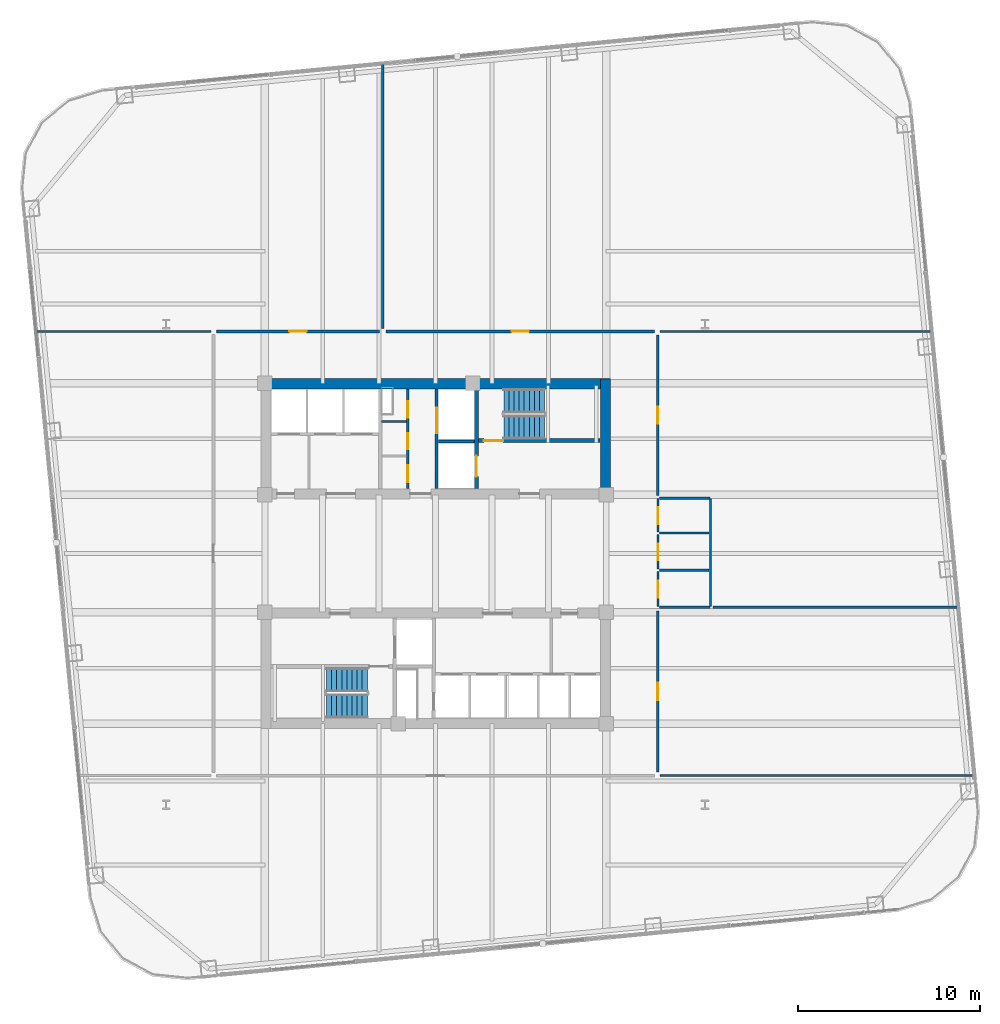
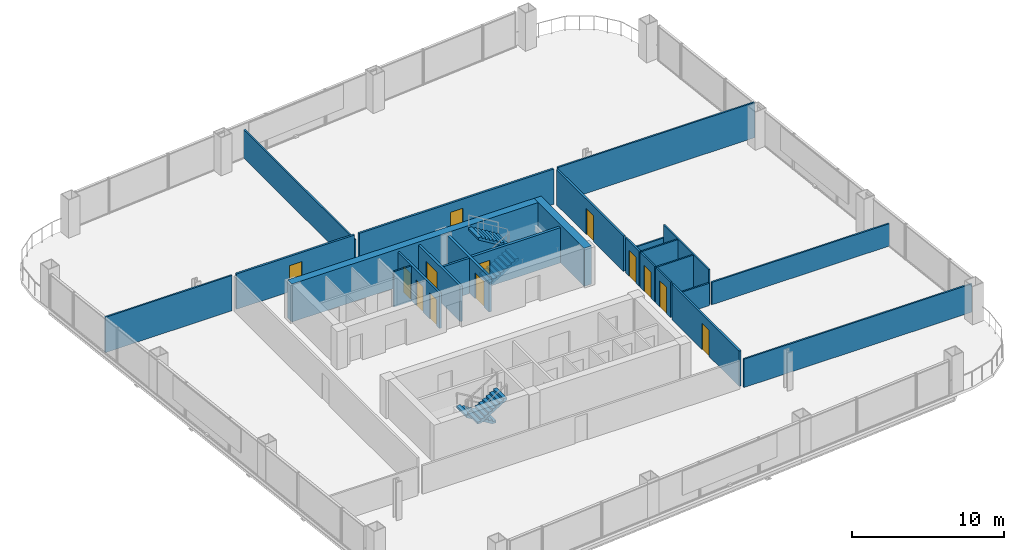
# One storey, part 23 of 27: 25 walls, 13 doors, 4 stair flights, 13 openings, 2 elements without a shape of their own.
"""IFC4 building model written with IfcOpenShell, lengths in metres."""

from ifc_helpers import new_model, si_unit, direction, frame, frame_2d, origin, place, context, subcontext, project, spatial, polyline, rectangle, outline, extrude, material, layer, layer_set, type_object, element, fill, aggregate, save


model = new_model("IFC4")

# Units and contexts
model_context = context("Model", 3, precision=1e-05, world=origin(), true_north=direction((0.0, 1.0)))
body_context = subcontext(model_context, "Body", "Model", "MODEL_VIEW")
ifc_project = project(units=[si_unit("LENGTHUNIT", "METRE"), si_unit("AREAUNIT", "SQUARE_METRE"), si_unit("VOLUMEUNIT", "CUBIC_METRE"), si_unit("PLANEANGLEUNIT", "RADIAN"), si_unit("MASSUNIT", "GRAM", prefix="KILO")], contexts=[model_context])

# Site, building, storey
site_placement = place(None, origin())
site = spatial("IfcSite", under=ifc_project, at=site_placement, CompositionType="ELEMENT")
building_placement = place(site_placement, origin())
building = spatial("IfcBuilding", under=site, at=building_placement, Name="Qhalaya Broadcast Tower", CompositionType="ELEMENT")
storey_placement = place(building_placement, frame((0.0, 0.0, 75.550048828125)))
storey = spatial("IfcBuildingStorey", under=building, at=storey_placement, Name="L21", CompositionType="ELEMENT", Elevation=75.550048828125)

# Wall, openings, doors
ifc_material_1 = material(Name="Gypsum Acoustic Partition")
ifc_layer_1 = layer(ifc_material_1, 0.14990234375, Name="Gypsum Acoustic Partition")
ifc_layer_set_1 = layer_set([ifc_layer_1], Name="Gypsum Acoustic Partition")
wall_type_1 = type_object("IfcWallType", Name="Corridor & Tenancy Acoustic Partition 150", PredefinedType="PARTITIONING", material=ifc_layer_set_1)
wall_1_placement = place(storey_placement, frame((-1.52001953125, 4.169921875, 0.0), z_axis=(0.0, 0.0, 1.0), x_axis=(0.0, 1.0, 0.0)))
wall_1 = element("IfcWall", 1, at=wall_1_placement, inside=storey, type_object=wall_type_1, Name="L21 Partition Wall NCW-SVL", PredefinedType="PARTITIONING", context=body_context, shape_type="SweptSolid", body=[
    extrude(rectangle(XDim=5.4599609375, YDim=0.14990234375, at=frame_2d((2.72998046875, 0.0))), origin(), (0.0, 0.0, 1.0), 2.829833984375),
])
opening_1_placement = place(wall_1_placement, frame((3.89990234375, 0.0, 0.0)))
opening_1 = element("IfcOpeningElement", 2, at=opening_1_placement, cuts=wall_1, Name="Opening D06", PredefinedType="OPENING", context=body_context, shape_type="SweptSolid", body=[
    extrude(rectangle(XDim=0.89990234375, YDim=2.050048828125, at=frame_2d((0.449951171875, 1.02490234375))), frame((0.0, 0.0869140625, 0.0), z_axis=(0.0, -1.0, 0.0), x_axis=(1.0, 0.0, 0.0)), (0.0, 0.0, 1.0), 0.173828125),
])
opening_2_placement = place(wall_1_placement, frame((2.14990234375, 0.0, 0.0)))
opening_2 = element("IfcOpeningElement", 3, at=opening_2_placement, cuts=wall_1, Name="Opening D06", PredefinedType="OPENING", context=body_context, shape_type="SweptSolid", body=[
    extrude(rectangle(XDim=0.89990234375, YDim=2.050048828125, at=frame_2d((0.449951171875, 1.02490234375))), frame((0.0, 0.0869140625, 0.0), z_axis=(0.0, -1.0, 0.0), x_axis=(1.0, 0.0, 0.0)), (0.0, 0.0, 1.0), 0.173828125),
])
opening_3_placement = place(wall_1_placement, frame((0.35009765625, 0.0, 0.0)))
opening_3 = element("IfcOpeningElement", 4, at=opening_3_placement, cuts=wall_1, Name="Opening D12", PredefinedType="OPENING", context=body_context, shape_type="SweptSolid", body=[
    extrude(rectangle(XDim=0.919921875, YDim=2.10009765625, at=frame_2d((0.4599609375, 1.050048828125))), frame((0.0, 0.0869140625, 0.0), z_axis=(0.0, -1.0, 0.0), x_axis=(1.0, 0.0, 0.0)), (0.0, 0.0, 1.0), 0.173828125),
])
ifc_material_2 = material(Name="Timber Veneer Acoustic Door", Category="wood")
door_type_1 = type_object("IfcDoorType", Name="Accessible WC & Restroom Door D12", OperationType="NOTDEFINED", PredefinedType="DOOR", material=ifc_material_2)
door_1_placement = place(opening_3_placement, origin())
door_1 = element("IfcDoor", 5, at=door_1_placement, inside=storey, type_object=door_type_1, Name="L21 Door D-NCWC", OperationType="SINGLE_SWING_RIGHT", OverallHeight=2.10009765625, OverallWidth=0.919921875, PredefinedType="DOOR", context=body_context, shape_type="SweptSolid", body=[
    extrude(rectangle(XDim=0.919921875, YDim=2.10009765625, at=frame_2d((0.4599609375, 1.050048828125))), frame((0.0, 0.02490234375, 0.0), z_axis=(0.0, -1.0, 0.0), x_axis=(1.0, 0.0, 0.0)), (0.0, 0.0, 1.0), 0.050048828125),
])
fill(opening_3, door_1)
ifc_material_3 = material(Name="Fire-Rated Steel Door", Category="steel")
door_type_2 = type_object("IfcDoorType", Name="Riser & Electrical Shaft Access Door D06", OperationType="NOTDEFINED", PredefinedType="DOOR", material=ifc_material_3)
door_2_placement = place(opening_1_placement, origin())
door_2 = element("IfcDoor", 6, at=door_2_placement, inside=storey, type_object=door_type_2, Name="L21 Riser Shaft Access Door D-NRSR", OperationType="SINGLE_SWING_RIGHT", OverallHeight=2.050048828125, OverallWidth=0.89990234375, PredefinedType="DOOR", context=body_context, shape_type="SweptSolid", body=[
    extrude(rectangle(XDim=0.89990234375, YDim=2.050048828125, at=frame_2d((0.449951171875, 1.02490234375))), frame((0.0, 0.02490234375, 0.0), z_axis=(0.0, -1.0, 0.0), x_axis=(1.0, 0.0, 0.0)), (0.0, 0.0, 1.0), 0.050048828125),
])
fill(opening_1, door_2)
door_3_placement = place(opening_2_placement, origin())
door_3 = element("IfcDoor", 7, at=door_3_placement, inside=storey, type_object=door_type_2, Name="L21 Door D-NITR", OperationType="SINGLE_SWING_LEFT", OverallHeight=2.050048828125, OverallWidth=0.89990234375, PredefinedType="DOOR", context=body_context, shape_type="SweptSolid", body=[
    extrude(rectangle(XDim=0.89990234375, YDim=2.050048828125, at=frame_2d((0.449951171875, 1.02490234375))), frame((0.0, 0.02490234375, 0.0), z_axis=(0.0, -1.0, 0.0), x_axis=(1.0, 0.0, 0.0)), (0.0, 0.0, 1.0), 0.050048828125),
])
fill(opening_2, door_3)

# Wall, opening, door
wall_2_placement = place(storey_placement, frame((-12.02001953125, 12.800048828125, 0.0), z_axis=(0.0, 0.0, 1.0), x_axis=(1.0, 0.0, 0.0)))
wall_2 = element("IfcWall", 8, at=wall_2_placement, inside=storey, type_object=wall_type_1, Name="L21 Partition Wall W-COR-01", PredefinedType="PARTITIONING", context=body_context, shape_type="SweptSolid", body=[
    extrude(rectangle(XDim=8.93994140625, YDim=0.14990234375, at=frame_2d((4.469970703125, 0.0))), origin(), (0.0, 0.0, 1.0), 2.829833984375),
])
opening_4_placement = place(wall_2_placement, frame((3.9951171875, 0.0, 0.0)))
opening_4 = element("IfcOpeningElement", 9, at=opening_4_placement, cuts=wall_2, Name="Opening D10", PredefinedType="OPENING", context=body_context, shape_type="SweptSolid", body=[
    extrude(rectangle(XDim=0.949951171875, YDim=2.10009765625, at=frame_2d((0.47509765625, 1.050048828125))), frame((0.0, 0.0869140625, 0.0), z_axis=(0.0, -1.0, 0.0), x_axis=(1.0, 0.0, 0.0)), (0.0, 0.0, 1.0), 0.173828125),
])
door_type_3 = type_object("IfcDoorType", Name="Cellular Office & Edit Booth Door D10", OperationType="NOTDEFINED", PredefinedType="DOOR", material=ifc_material_2)
door_4_placement = place(opening_4_placement, origin())
door_4 = element("IfcDoor", 10, at=door_4_placement, inside=storey, type_object=door_type_3, Name="L21 Door D-RM01", OperationType="SINGLE_SWING_LEFT", OverallHeight=2.10009765625, OverallWidth=0.949951171875, PredefinedType="DOOR", context=body_context, shape_type="SweptSolid", body=[
    extrude(rectangle(XDim=0.949951171875, YDim=2.10009765625, at=frame_2d((0.47509765625, 1.050048828125))), frame((0.0, 0.02490234375, 0.0), z_axis=(0.0, -1.0, 0.0), x_axis=(1.0, 0.0, 0.0)), (0.0, 0.0, 1.0), 0.050048828125),
])
fill(opening_4, door_4)

wall_3_placement = place(storey_placement, frame((-2.719970703125, 12.800048828125, 0.0), z_axis=(0.0, 0.0, 1.0), x_axis=(1.0, 0.0, 0.0)))
wall_3 = element("IfcWall", 11, at=wall_3_placement, inside=storey, type_object=wall_type_1, Name="L21 Partition Wall W-COR-02", PredefinedType="PARTITIONING", context=body_context, shape_type="SweptSolid", body=[
    extrude(rectangle(XDim=14.739990234375, YDim=0.14990234375, at=frame_2d((7.3701171875, 0.0))), origin(), (0.0, 0.0, 1.0), 2.829833984375),
])
opening_5_placement = place(wall_3_placement, frame((6.89501953125, 0.0, 0.0)))
opening_5 = element("IfcOpeningElement", 12, at=opening_5_placement, cuts=wall_3, Name="Opening D10", PredefinedType="OPENING", context=body_context, shape_type="SweptSolid", body=[
    extrude(rectangle(XDim=0.949951171875, YDim=2.10009765625, at=frame_2d((0.47509765625, 1.050048828125))), frame((0.0, 0.0869140625, 0.0), z_axis=(0.0, -1.0, 0.0), x_axis=(1.0, 0.0, 0.0)), (0.0, 0.0, 1.0), 0.173828125),
])
door_5_placement = place(opening_5_placement, origin())
door_5 = element("IfcDoor", 13, at=door_5_placement, inside=storey, type_object=door_type_3, Name="L21 Door D-RM02", OperationType="SINGLE_SWING_RIGHT", OverallHeight=2.10009765625, OverallWidth=0.949951171875, PredefinedType="DOOR", context=body_context, shape_type="SweptSolid", body=[
    extrude(rectangle(XDim=0.949951171875, YDim=2.10009765625, at=frame_2d((0.47509765625, 1.050048828125))), frame((0.0, 0.02490234375, 0.0), z_axis=(0.0, -1.0, 0.0), x_axis=(1.0, 0.0, 0.0)), (0.0, 0.0, 1.0), 0.050048828125),
])
fill(opening_5, door_5)

wall_4_placement = place(storey_placement, frame((12.199951171875, -11.39990234375, 0.0), z_axis=(0.0, 0.0, 1.0), x_axis=(0.0, 1.0, 0.0)))
wall_4 = element("IfcWall", 14, at=wall_4_placement, inside=storey, type_object=wall_type_1, Name="L21 Partition Wall W-COR-05", PredefinedType="PARTITIONING", context=body_context, shape_type="SweptSolid", body=[
    extrude(rectangle(XDim=8.83984375, YDim=0.14990234375, at=frame_2d((4.419921875, 0.0))), origin(), (0.0, 0.0, 1.0), 2.829833984375),
])
opening_6_placement = place(wall_4_placement, frame((3.945068359375, 0.0, 0.0)))
opening_6 = element("IfcOpeningElement", 15, at=opening_6_placement, cuts=wall_4, Name="Opening D10", PredefinedType="OPENING", context=body_context, shape_type="SweptSolid", body=[
    extrude(rectangle(XDim=0.949951171875, YDim=2.10009765625, at=frame_2d((0.47509765625, 1.050048828125))), frame((0.0, 0.0869140625, 0.0), z_axis=(0.0, -1.0, 0.0), x_axis=(1.0, 0.0, 0.0)), (0.0, 0.0, 1.0), 0.173828125),
])
door_6_placement = place(opening_6_placement, origin())
door_6 = element("IfcDoor", 16, at=door_6_placement, inside=storey, type_object=door_type_3, Name="L21 Door D-RM05", OperationType="SINGLE_SWING_LEFT", OverallHeight=2.10009765625, OverallWidth=0.949951171875, PredefinedType="DOOR", context=body_context, shape_type="SweptSolid", body=[
    extrude(rectangle(XDim=0.949951171875, YDim=2.10009765625, at=frame_2d((0.47509765625, 1.050048828125))), frame((0.0, 0.02490234375, 0.0), z_axis=(0.0, -1.0, 0.0), x_axis=(1.0, 0.0, 0.0)), (0.0, 0.0, 1.0), 0.050048828125),
])
fill(opening_6, door_6)

wall_5_placement = place(storey_placement, frame((12.199951171875, 3.800048828125, 0.0), z_axis=(0.0, 0.0, 1.0), x_axis=(0.0, 1.0, 0.0)))
wall_5 = element("IfcWall", 17, at=wall_5_placement, inside=storey, type_object=wall_type_1, Name="L21 Partition Wall W-COR-06", PredefinedType="PARTITIONING", context=body_context, shape_type="SweptSolid", body=[
    extrude(rectangle(XDim=8.800048828125, YDim=0.14990234375, at=frame_2d((4.39990234375, 0.0))), origin(), (0.0, 0.0, 1.0), 2.829833984375),
])
opening_7_placement = place(wall_5_placement, frame((3.925048828125, 0.0, 0.0)))
opening_7 = element("IfcOpeningElement", 18, at=opening_7_placement, cuts=wall_5, Name="Opening D10", PredefinedType="OPENING", context=body_context, shape_type="SweptSolid", body=[
    extrude(rectangle(XDim=0.949951171875, YDim=2.10009765625, at=frame_2d((0.47509765625, 1.050048828125))), frame((0.0, 0.0869140625, 0.0), z_axis=(0.0, -1.0, 0.0), x_axis=(1.0, 0.0, 0.0)), (0.0, 0.0, 1.0), 0.173828125),
])
door_7_placement = place(opening_7_placement, origin())
door_7 = element("IfcDoor", 19, at=door_7_placement, inside=storey, type_object=door_type_3, Name="L21 Door D-RM06", OperationType="SINGLE_SWING_RIGHT", OverallHeight=2.10009765625, OverallWidth=0.949951171875, PredefinedType="DOOR", context=body_context, shape_type="SweptSolid", body=[
    extrude(rectangle(XDim=0.949951171875, YDim=2.10009765625, at=frame_2d((0.47509765625, 1.050048828125))), frame((0.0, 0.02490234375, 0.0), z_axis=(0.0, -1.0, 0.0), x_axis=(1.0, 0.0, 0.0)), (0.0, 0.0, 1.0), 0.050048828125),
])
fill(opening_7, door_7)

ifc_material_4 = material(Name="Concrete C50/60", Category="concrete")
ifc_layer_2 = layer(ifc_material_4, 0.199951171875, Name="Concrete C50/60")
ifc_layer_set_2 = layer_set([ifc_layer_2], Name="Concrete C50/60")
wall_type_2 = type_object("IfcWallType", Name="Load-Bearing Stair Shaft Wall 200", PredefinedType="SHEAR", material=ifc_layer_set_2)
wall_6_placement = place(storey_placement, frame((2.360107421875, 6.804931640625, 0.0), z_axis=(0.0, 0.0, 1.0), x_axis=(1.0, 0.0, 0.0)))
wall_6 = element("IfcWall", 20, at=wall_6_placement, inside=storey, type_object=wall_type_2, Name="L21 Stair Core Shear Wall NCW-ST1", PredefinedType="SHEAR", context=body_context, shape_type="SweptSolid", body=[
    extrude(rectangle(XDim=6.669921875, YDim=0.199951171875, at=frame_2d((3.3349609375, 0.0))), origin(), (0.0, 0.0, 1.0), 2.829833984375),
])
opening_8_placement = place(wall_6_placement, frame((0.300048828125, 0.0, 0.0)))
opening_8 = element("IfcOpeningElement", 21, at=opening_8_placement, cuts=wall_6, Name="Opening D03", PredefinedType="OPENING", context=body_context, shape_type="SweptSolid", body=[
    extrude(rectangle(XDim=1.050048828125, YDim=2.080078125, at=frame_2d((0.52490234375, 1.0400390625))), frame((0.0, 0.112060546875, 0.0), z_axis=(0.0, -1.0, 0.0), x_axis=(1.0, 0.0, 0.0)), (0.0, 0.0, 1.0), 0.223876953125),
])
door_type_4 = type_object("IfcDoorType", Name="Core Stair Protected Fire Door D03", OperationType="NOTDEFINED", PredefinedType="DOOR", material=ifc_material_3)
door_8_placement = place(opening_8_placement, origin())
door_8 = element("IfcDoor", 22, at=door_8_placement, inside=storey, type_object=door_type_4, Name="L21 Door D-NST1", OperationType="SINGLE_SWING_LEFT", OverallHeight=2.080078125, OverallWidth=1.050048828125, PredefinedType="DOOR", context=body_context, shape_type="SweptSolid", body=[
    extrude(rectangle(XDim=1.050048828125, YDim=2.080078125, at=frame_2d((0.52490234375, 1.0400390625))), frame((0.0, 0.02490234375, 0.0), z_axis=(0.0, -1.0, 0.0), x_axis=(1.0, 0.0, 0.0)), (0.0, 0.0, 1.0), 0.050048828125),
])
fill(opening_8, door_8)

wall_7_placement = place(storey_placement, frame((2.25, 4.169921875, 0.0), z_axis=(0.0, 0.0, 1.0), x_axis=(0.0, 1.0, 0.0)))
wall_7 = element("IfcWall", 23, at=wall_7_placement, inside=storey, type_object=wall_type_2, Name="L21 Stair Core Shear Wall NCW-FF", PredefinedType="SHEAR", context=body_context, shape_type="SweptSolid", body=[
    extrude(rectangle(XDim=5.4599609375, YDim=0.199951171875, at=frame_2d((2.72998046875, 0.0))), origin(), (0.0, 0.0, 1.0), 2.829833984375),
])
opening_9_placement = place(wall_7_placement, frame((0.64990234375, 0.0, 0.0)))
opening_9 = element("IfcOpeningElement", 24, at=opening_9_placement, cuts=wall_7, Name="Opening LD2", PredefinedType="OPENING", context=body_context, shape_type="SweptSolid", body=[
    extrude(rectangle(XDim=1.14990234375, YDim=2.080078125, at=frame_2d((0.574951171875, 1.0400390625))), frame((0.0, 0.112060546875, 0.0), z_axis=(0.0, -1.0, 0.0), x_axis=(1.0, 0.0, 0.0)), (0.0, 0.0, 1.0), 0.223876953125),
])
ifc_material_5 = material(Name="Brushed Stainless Steel Lift Door", Category="steel")
door_type_5 = type_object("IfcDoorType", Name="Firefighting Lift Sliding Landing Door LD2", OperationType="DOUBLE_DOOR_SLIDING", PredefinedType="DOOR", material=ifc_material_5)
door_9_placement = place(opening_9_placement, origin())
door_9 = element("IfcDoor", 25, at=door_9_placement, inside=storey, type_object=door_type_5, Name="L21 Door LD-FF1", OperationType="DOUBLE_DOOR_SLIDING", OverallHeight=2.080078125, OverallWidth=1.14990234375, PredefinedType="DOOR", context=body_context, shape_type="SweptSolid", body=[
    extrude(rectangle(XDim=1.14990234375, YDim=2.080078125, at=frame_2d((0.574951171875, 1.0400390625))), frame((0.0, 0.02490234375, 0.0), z_axis=(0.0, -1.0, 0.0), x_axis=(1.0, 0.0, 0.0)), (0.0, 0.0, 1.0), 0.050048828125),
])
fill(opening_9, door_9)

# Walls
ifc_material_6 = material(Name="Concrete C60/75", Category="concrete")
ifc_layer_3 = layer(ifc_material_6, 0.550048828125, Name="Concrete C60/75")
ifc_layer_set_3 = layer_set([ifc_layer_3], Name="Concrete C60/75")
wall_type_3 = type_object("IfcWallType", Name="Lower Split-Core Shear Wall 550", PredefinedType="SHEAR", material=ifc_layer_set_3)
wall_8_placement = place(storey_placement, frame((-9.60009765625, 9.925048828125, 0.0), z_axis=(0.0, 0.0, 1.0), x_axis=(1.0, 0.0, 0.0)))
element("IfcWall", 26, at=wall_8_placement, inside=storey, type_object=wall_type_3, Name="L21 Split-Core Shear Wall CW-NN", PredefinedType="SHEAR", context=body_context, shape_type="SweptSolid", body=[
    extrude(rectangle(XDim=19.2001953125, YDim=0.550048828125, at=frame_2d((9.60009765625, 0.0))), origin(), (0.0, 0.0, 1.0), 3.050048828125),
])
wall_9_placement = place(storey_placement, frame((9.324951171875, 3.60009765625, 0.0), z_axis=(0.0, 0.0, 1.0), x_axis=(0.0, 1.0, 0.0)))
element("IfcWall", 27, at=wall_9_placement, inside=storey, type_object=wall_type_3, Name="L21 Split-Core Shear Wall CW-NE", PredefinedType="SHEAR", context=body_context, shape_type="SweptSolid", body=[
    extrude(rectangle(XDim=6.599853515625, YDim=0.550048828125, at=frame_2d((3.2998046875, 0.0))), origin(), (0.0, 0.0, 1.0), 3.050048828125),
])
ifc_layer_4 = layer(ifc_material_1, 0.1201171875, Name="Gypsum Acoustic Partition")
ifc_layer_set_4 = layer_set([ifc_layer_4], Name="Gypsum Acoustic Partition")
wall_type_4 = type_object("IfcWallType", Name="Office, Booth & Sanitary Partition 120", PredefinedType="PARTITIONING", material=ifc_layer_set_4)
wall_10_placement = place(storey_placement, frame((-2.9599609375, 7.85009765625, 0.0), z_axis=(0.0, 0.0, 1.0), x_axis=(1.0, 0.0, 0.0)))
element("IfcWall", 28, at=wall_10_placement, inside=storey, type_object=wall_type_4, Name="L21 Partition Wall NCW-VB2", PredefinedType="PARTITIONING", context=body_context, shape_type="SweptSolid", body=[
    extrude(rectangle(XDim=1.35986328125, YDim=0.1201171875, at=frame_2d((0.679931640625, 0.0))), origin(), (0.0, 0.0, 1.0), 2.829833984375),
])

# Wall, opening, door
wall_11_placement = place(storey_placement, frame((12.219970703125, -2.320068359375, 0.0), z_axis=(0.0, 0.0, 1.0), x_axis=(0.0, 1.0, 0.0)))
wall_11 = element("IfcWall", 29, at=wall_11_placement, inside=storey, type_object=wall_type_4, Name="L21 Partition Wall W-WCWA", PredefinedType="PARTITIONING", context=body_context, shape_type="SweptSolid", body=[
    extrude(rectangle(XDim=1.940185546875, YDim=0.1201171875, at=frame_2d((0.97021484375, 0.0))), origin(), (0.0, 0.0, 1.0), 2.829833984375),
])
opening_10_placement = place(wall_11_placement, frame((0.4951171875, 0.0, 0.0)))
opening_10 = element("IfcOpeningElement", 30, at=opening_10_placement, cuts=wall_11, Name="Opening D12", PredefinedType="OPENING", context=body_context, shape_type="SweptSolid", body=[
    extrude(rectangle(XDim=0.919921875, YDim=2.10009765625, at=frame_2d((0.4599609375, 1.050048828125))), frame((0.0, 0.072021484375, 0.0), z_axis=(0.0, -1.0, 0.0), x_axis=(1.0, 0.0, 0.0)), (0.0, 0.0, 1.0), 0.14404296875),
])
door_10_placement = place(opening_10_placement, origin())
door_10 = element("IfcDoor", 31, at=door_10_placement, inside=storey, type_object=door_type_1, Name="L21 Door D-WCA", OperationType="SINGLE_SWING_LEFT", OverallHeight=2.10009765625, OverallWidth=0.919921875, PredefinedType="DOOR", context=body_context, shape_type="SweptSolid", body=[
    extrude(rectangle(XDim=0.919921875, YDim=2.10009765625, at=frame_2d((0.4599609375, 1.050048828125))), frame((0.0, 0.02490234375, 0.0), z_axis=(0.0, -1.0, 0.0), x_axis=(1.0, 0.0, 0.0)), (0.0, 0.0, 1.0), 0.050048828125),
])
fill(opening_10, door_10)

wall_12_placement = place(storey_placement, frame((12.219970703125, -0.25, 0.0), z_axis=(0.0, 0.0, 1.0), x_axis=(0.0, 1.0, 0.0)))
wall_12 = element("IfcWall", 32, at=wall_12_placement, inside=storey, type_object=wall_type_4, Name="L21 Partition Wall W-WCWM", PredefinedType="PARTITIONING", context=body_context, shape_type="SweptSolid", body=[
    extrude(rectangle(XDim=1.89990234375, YDim=0.1201171875, at=frame_2d((0.949951171875, 0.0))), origin(), (0.0, 0.0, 1.0), 2.829833984375),
])
opening_11_placement = place(wall_12_placement, frame((0.47509765625, 0.0, 0.0)))
opening_11 = element("IfcOpeningElement", 33, at=opening_11_placement, cuts=wall_12, Name="Opening D12", PredefinedType="OPENING", context=body_context, shape_type="SweptSolid", body=[
    extrude(rectangle(XDim=0.919921875, YDim=2.10009765625, at=frame_2d((0.4599609375, 1.050048828125))), frame((0.0, 0.072021484375, 0.0), z_axis=(0.0, -1.0, 0.0), x_axis=(1.0, 0.0, 0.0)), (0.0, 0.0, 1.0), 0.14404296875),
])
door_11_placement = place(opening_11_placement, origin())
door_11 = element("IfcDoor", 34, at=door_11_placement, inside=storey, type_object=door_type_1, Name="L21 Door D-WCM", OperationType="SINGLE_SWING_RIGHT", OverallHeight=2.10009765625, OverallWidth=0.919921875, PredefinedType="DOOR", context=body_context, shape_type="SweptSolid", body=[
    extrude(rectangle(XDim=0.919921875, YDim=2.10009765625, at=frame_2d((0.4599609375, 1.050048828125))), frame((0.0, 0.02490234375, 0.0), z_axis=(0.0, -1.0, 0.0), x_axis=(1.0, 0.0, 0.0)), (0.0, 0.0, 1.0), 0.050048828125),
])
fill(opening_11, door_11)

wall_13_placement = place(storey_placement, frame((12.219970703125, 1.780029296875, 0.0), z_axis=(0.0, 0.0, 1.0), x_axis=(0.0, 1.0, 0.0)))
wall_13 = element("IfcWall", 35, at=wall_13_placement, inside=storey, type_object=wall_type_4, Name="L21 Partition Wall W-WCWF", PredefinedType="PARTITIONING", context=body_context, shape_type="SweptSolid", body=[
    extrude(rectangle(XDim=1.830078125, YDim=0.1201171875, at=frame_2d((0.9150390625, 0.0))), origin(), (0.0, 0.0, 1.0), 2.829833984375),
])
opening_12_placement = place(wall_13_placement, frame((0.43994140625, 0.0, 0.0)))
opening_12 = element("IfcOpeningElement", 36, at=opening_12_placement, cuts=wall_13, Name="Opening D12", PredefinedType="OPENING", context=body_context, shape_type="SweptSolid", body=[
    extrude(rectangle(XDim=0.919921875, YDim=2.10009765625, at=frame_2d((0.4599609375, 1.050048828125))), frame((0.0, 0.072021484375, 0.0), z_axis=(0.0, -1.0, 0.0), x_axis=(1.0, 0.0, 0.0)), (0.0, 0.0, 1.0), 0.14404296875),
])
door_12_placement = place(opening_12_placement, origin())
door_12 = element("IfcDoor", 37, at=door_12_placement, inside=storey, type_object=door_type_1, Name="L21 Door D-WCF", OperationType="SINGLE_SWING_LEFT", OverallHeight=2.10009765625, OverallWidth=0.919921875, PredefinedType="DOOR", context=body_context, shape_type="SweptSolid", body=[
    extrude(rectangle(XDim=0.919921875, YDim=2.10009765625, at=frame_2d((0.4599609375, 1.050048828125))), frame((0.0, 0.02490234375, 0.0), z_axis=(0.0, -1.0, 0.0), x_axis=(1.0, 0.0, 0.0)), (0.0, 0.0, 1.0), 0.050048828125),
])
fill(opening_12, door_12)

# Walls
wall_14_placement = place(storey_placement, frame((15.10009765625, -2.320068359375, 0.0), z_axis=(0.0, 0.0, 1.0), x_axis=(0.0, 1.0, 0.0)))
element("IfcWall", 38, at=wall_14_placement, inside=storey, type_object=wall_type_4, Name="L21 Partition Wall W-WCE", PredefinedType="PARTITIONING", context=body_context, shape_type="SweptSolid", body=[
    extrude(rectangle(XDim=5.93017578125, YDim=0.1201171875, at=frame_2d((2.965087890625, 0.0))), origin(), (0.0, 0.0, 1.0), 2.829833984375),
])
for number, where, z_axis, x_axis, name in (
    (39, (12.31005859375, -2.35009765625, 0.0), (0.0, 0.0, 1.0), (1.0, 0.0, 0.0), "L21 Partition Wall W-WCS"),
    (40, (12.31005859375, 3.639892578125, 0.0), (0.0, 0.0, 1.0), (1.0, 0.0, 0.0), "L21 Partition Wall W-WCN"),
):
    element("IfcWall", number, at=place(storey_placement, frame(where, z_axis=z_axis, x_axis=x_axis)), inside=storey, type_object=wall_type_4, Name=name, PredefinedType="PARTITIONING", context=body_context, shape_type="SweptSolid", body=[
        extrude(rectangle(XDim=2.760009765625, YDim=0.1201171875, at=frame_2d((1.3798828125, 0.0))), origin(), (0.0, 0.0, 1.0), 1.799072265625),
    ])
for number, where, z_axis, x_axis, name in (
    (41, (12.31005859375, -0.320068359375, 0.0), (0.0, 0.0, 1.0), (1.0, 0.0, 0.0), "L21 Partition Wall W-WCD1"),
    (42, (12.31005859375, 1.719970703125, 0.0), (0.0, 0.0, 1.0), (1.0, 0.0, 0.0), "L21 Partition Wall W-WCD2"),
):
    element("IfcWall", number, at=place(storey_placement, frame(where, z_axis=z_axis, x_axis=x_axis)), inside=storey, type_object=wall_type_4, Name=name, PredefinedType="PARTITIONING", context=body_context, shape_type="SweptSolid", body=[
        extrude(rectangle(XDim=2.719970703125, YDim=0.1201171875, at=frame_2d((1.35986328125, 0.0))), origin(), (0.0, 0.0, 1.0), 2.829833984375),
    ])
wall_15_placement = place(storey_placement, frame((-21.94482421875, 12.800048828125, 0.0), z_axis=(0.0, 0.0, 1.0), x_axis=(1.0, 0.0, 0.0)))
element("IfcWall", 43, at=wall_15_placement, inside=storey, type_object=wall_type_4, Name="L21 Partition Wall W-BNDW1", PredefinedType="PARTITIONING", context=body_context, shape_type="SweptSolid", body=[
    extrude(rectangle(XDim=9.604736328125, YDim=0.1201171875, at=frame_2d((4.80224609375, 0.0))), origin(), (0.0, 0.0, 1.0), 2.829833984375),
])
wall_16_placement = place(storey_placement, frame((12.340087890625, 12.800048828125, 0.0), z_axis=(0.0, 0.0, 1.0), x_axis=(1.0, 0.0, 0.0)))
element("IfcWall", 44, at=wall_16_placement, inside=storey, type_object=wall_type_4, Name="L21 Partition Wall W-BNDE1", PredefinedType="PARTITIONING", context=body_context, shape_type="SweptSolid", body=[
    extrude(rectangle(XDim=14.901611328125, YDim=0.1201171875, at=frame_2d((7.45068359375, 0.0))), origin(), (0.0, 0.0, 1.0), 2.829833984375),
])
wall_17_placement = place(storey_placement, frame((12.340087890625, -11.60009765625, 0.0), z_axis=(0.0, 0.0, 1.0), x_axis=(1.0, 0.0, 0.0)))
element("IfcWall", 45, at=wall_17_placement, inside=storey, type_object=wall_type_4, Name="L21 Partition Wall W-BNDE2", PredefinedType="PARTITIONING", context=body_context, shape_type="SweptSolid", body=[
    extrude(rectangle(XDim=17.2509765625, YDim=0.1201171875, at=frame_2d((8.62548828125, 0.0))), origin(), (0.0, 0.0, 1.0), 2.27392578125),
])
wall_18_placement = place(storey_placement, frame((-2.89990234375, 12.9599609375, 0.0), z_axis=(0.0, 0.0, 1.0), x_axis=(0.0, 1.0, 0.0)))
element("IfcWall", 46, at=wall_18_placement, inside=storey, type_object=wall_type_4, Name="L21 Partition Wall W-DIVN1", PredefinedType="PARTITIONING", context=body_context, shape_type="SweptSolid", body=[
    extrude(rectangle(XDim=14.55322265625, YDim=0.1201171875, at=frame_2d((7.276611328125, 0.0))), origin(), (0.0, 0.0, 1.0), 2.27392578125),
])
wall_19_placement = place(storey_placement, frame((15.239990234375, -2.35009765625, 0.0), z_axis=(0.0, 0.0, 1.0), x_axis=(1.0, 0.0, 0.0)))
element("IfcWall", 47, at=wall_19_placement, inside=storey, type_object=wall_type_4, Name="L21 Partition Wall W-DIVE-WC", PredefinedType="PARTITIONING", context=body_context, shape_type="SweptSolid", body=[
    extrude(rectangle(XDim=13.46044921875, YDim=0.1201171875, at=frame_2d((6.730224609375, 0.0))), origin(), (0.0, 0.0, 1.0), 1.799072265625),
])

# Wall, opening, door
ifc_layer_5 = layer(ifc_material_1, 0.175048828125, Name="Gypsum Acoustic Partition")
ifc_layer_set_5 = layer_set([ifc_layer_5], Name="Gypsum Acoustic Partition")
wall_type_5 = type_object("IfcWallType", Name="Shaft & Riser Fire Partition 175", PredefinedType="PARTITIONING", material=ifc_layer_set_5)
wall_20_placement = place(storey_placement, frame((0.06005859375, 4.169921875, 0.0), z_axis=(0.0, 0.0, 1.0), x_axis=(0.0, 1.0, 0.0)))
wall_20 = element("IfcWall", 48, at=wall_20_placement, inside=storey, type_object=wall_type_5, Name="L21 Partition Wall NCW-SVW", PredefinedType="PARTITIONING", context=body_context, shape_type="SweptSolid", body=[
    extrude(rectangle(XDim=5.4599609375, YDim=0.175048828125, at=frame_2d((2.72998046875, 0.0))), origin(), (0.0, 0.0, 1.0), 2.829833984375),
])
opening_13_placement = place(wall_20_placement, frame((3.050048828125, 0.0, 0.0)))
opening_13 = element("IfcOpeningElement", 49, at=opening_13_placement, cuts=wall_20, Name="Opening LD3", PredefinedType="OPENING", context=body_context, shape_type="SweptSolid", body=[
    extrude(rectangle(XDim=1.39990234375, YDim=2.1201171875, at=frame_2d((0.699951171875, 1.06005859375))), frame((0.0, 0.099609375, 0.0), z_axis=(0.0, -1.0, 0.0), x_axis=(1.0, 0.0, 0.0)), (0.0, 0.0, 1.0), 0.198974609375),
])
door_type_6 = type_object("IfcDoorType", Name="Service Lift Wide Sliding Landing Door LD3", OperationType="DOUBLE_DOOR_SLIDING", PredefinedType="DOOR", material=ifc_material_5)
door_13_placement = place(opening_13_placement, origin())
door_13 = element("IfcDoor", 50, at=door_13_placement, inside=storey, type_object=door_type_6, Name="L21 Door LD-SV1", OperationType="DOUBLE_DOOR_SLIDING", OverallHeight=2.1201171875, OverallWidth=1.39990234375, PredefinedType="DOOR", context=body_context, shape_type="SweptSolid", body=[
    extrude(rectangle(XDim=1.39990234375, YDim=2.1201171875, at=frame_2d((0.699951171875, 1.06005859375))), frame((0.0, 0.02490234375, 0.0), z_axis=(0.0, -1.0, 0.0), x_axis=(1.0, 0.0, 0.0)), (0.0, 0.0, 1.0), 0.050048828125),
])
fill(opening_13, door_13)

# Wall
wall_21_placement = place(storey_placement, frame((0.159912109375, 6.75, 0.0), z_axis=(0.0, 0.0, 1.0), x_axis=(1.0, 0.0, 0.0)))
element("IfcWall", 51, at=wall_21_placement, inside=storey, type_object=wall_type_5, Name="L21 Partition Wall NCW-SVM", PredefinedType="PARTITIONING", context=body_context, shape_type="SweptSolid", body=[
    extrude(rectangle(XDim=1.97998046875, YDim=0.175048828125, at=frame_2d((0.989990234375, 0.0))), origin(), (0.0, 0.0, 1.0), 2.829833984375),
])

# Stair, stair flights
ifc_material_7 = material(Name="Concrete C40/50", Category="concrete")
stair_type = type_object("IfcStairType", Name="Protected Dogleg Core Stair 3150", PredefinedType="TWO_STRAIGHT_RUN_STAIR", material=ifc_material_7)
stair_1_placement = place(storey_placement, origin())
stair_1 = element("IfcStair", 52, at=stair_1_placement, inside=storey, type_object=stair_type, Name="L21 North Core Exit Stair ST-1", PredefinedType="TWO_STRAIGHT_RUN_STAIR")
ifc_material_8 = material(Name="Precast Concrete C40/50", Category="concrete")
stair_flight_type = type_object("IfcStairFlightType", Name="Precast Concrete Stair Flight 3150", PredefinedType="STRAIGHT", material=ifc_material_8)
stair_flight_1_placement = place(storey_placement, frame((3.75, 7.5400390625, 0.0), z_axis=(0.0, 0.0, 1.0), x_axis=(1.0, 0.0, 0.0)))
stair_flight_1 = element("IfcStairFlight", 53, at=stair_flight_1_placement, type_object=stair_flight_type, Name="ST-1 flight 1", NumberOfRisers=9, NumberOfTreads=8, PredefinedType="STRAIGHT", RiserHeight=0.169444444, TreadLength=0.28, context=body_context, shape_type="SweptSolid", body=[
    extrude(outline(polyline([(0.0, 0.0), (0.0, 0.16943359375), (0.280029296875, 0.16943359375), (0.280029296875, 0.3388671875), (0.56005859375, 0.3388671875), (0.56005859375, 0.50830078125), (0.840087890625, 0.50830078125), (0.840087890625, 0.677734375), (1.1201171875, 0.677734375), (1.1201171875, 0.84716796875), (1.39990234375, 0.84716796875), (1.39990234375, 1.0166015625), (1.679931640625, 1.0166015625), (1.679931640625, 1.18603515625), (1.9599609375, 1.18603515625), (1.9599609375, 1.35546875), (2.239990234375, 1.35546875), (2.239990234375, 1.52490234375), (2.239990234375, 1.180419921875), (0.28955078125, 0.0), (0.0, 0.0)])), frame((0.0, 0.66015625, 0.0), z_axis=(0.0, -1.0, 0.0), x_axis=(1.0, 0.0, 0.0)), (0.0, 0.0, 1.0), 1.320068359375),
])
stair_flight_2_placement = place(storey_placement, frame((5.989990234375, 8.97998046875, 1.52490234375), z_axis=(0.0, 0.0, 1.0), x_axis=(-1.0, 0.0, 0.0)))
stair_flight_2 = element("IfcStairFlight", 54, at=stair_flight_2_placement, type_object=stair_flight_type, Name="ST-1 flight 2", NumberOfRisers=9, NumberOfTreads=8, PredefinedType="STRAIGHT", RiserHeight=0.169444444, TreadLength=0.28, context=body_context, shape_type="SweptSolid", body=[
    extrude(outline(polyline([(0.0, 0.0), (0.0, 0.16943359375), (0.280029296875, 0.16943359375), (0.280029296875, 0.3388671875), (0.56005859375, 0.3388671875), (0.56005859375, 0.50830078125), (0.840087890625, 0.50830078125), (0.840087890625, 0.677734375), (1.1201171875, 0.677734375), (1.1201171875, 0.84716796875), (1.39990234375, 0.84716796875), (1.39990234375, 1.0166015625), (1.679931640625, 1.0166015625), (1.679931640625, 1.18603515625), (1.9599609375, 1.18603515625), (1.9599609375, 1.35546875), (2.239990234375, 1.35546875), (2.239990234375, 1.52490234375), (2.239990234375, 1.180419921875), (0.28955078125, 0.0), (0.0, 0.0)])), frame((0.0, 0.66015625, 0.0), z_axis=(0.0, -1.0, 0.0), x_axis=(1.0, 0.0, 0.0)), (0.0, 0.0, 1.0), 1.320068359375),
])
aggregate(stair_1, [stair_flight_1, stair_flight_2])

stair_2_placement = place(storey_placement, origin())
stair_2 = element("IfcStair", 55, at=stair_2_placement, inside=storey, type_object=stair_type, Name="L21 South Core Exit Stair ST-2", PredefinedType="TWO_STRAIGHT_RUN_STAIR")
stair_flight_3_placement = place(storey_placement, frame((-3.75, -6.340087890625, 0.0), z_axis=(0.0, 0.0, 1.0), x_axis=(-1.0, 0.0, 0.0)))
stair_flight_3 = element("IfcStairFlight", 56, at=stair_flight_3_placement, type_object=stair_flight_type, Name="ST-2 flight 1", NumberOfRisers=9, NumberOfTreads=8, PredefinedType="STRAIGHT", RiserHeight=0.169444444, TreadLength=0.28, context=body_context, shape_type="SweptSolid", body=[
    extrude(outline(polyline([(0.0, 0.0), (0.0, 0.16943359375), (0.280029296875, 0.16943359375), (0.280029296875, 0.3388671875), (0.56005859375, 0.3388671875), (0.56005859375, 0.50830078125), (0.840087890625, 0.50830078125), (0.840087890625, 0.677734375), (1.1201171875, 0.677734375), (1.1201171875, 0.84716796875), (1.39990234375, 0.84716796875), (1.39990234375, 1.0166015625), (1.679931640625, 1.0166015625), (1.679931640625, 1.18603515625), (1.9599609375, 1.18603515625), (1.9599609375, 1.35546875), (2.239990234375, 1.35546875), (2.239990234375, 1.52490234375), (2.239990234375, 1.180419921875), (0.28955078125, 0.0), (0.0, 0.0)])), frame((0.0, 0.66015625, 0.0), z_axis=(0.0, -1.0, 0.0), x_axis=(1.0, 0.0, 0.0)), (0.0, 0.0, 1.0), 1.320068359375),
])
stair_flight_4_placement = place(storey_placement, frame((-5.989990234375, -7.780029296875, 1.52490234375), z_axis=(0.0, 0.0, 1.0), x_axis=(1.0, 0.0, 0.0)))
stair_flight_4 = element("IfcStairFlight", 57, at=stair_flight_4_placement, type_object=stair_flight_type, Name="ST-2 flight 2", NumberOfRisers=9, NumberOfTreads=8, PredefinedType="STRAIGHT", RiserHeight=0.169444444, TreadLength=0.28, context=body_context, shape_type="SweptSolid", body=[
    extrude(outline(polyline([(0.0, 0.0), (0.0, 0.16943359375), (0.280029296875, 0.16943359375), (0.280029296875, 0.3388671875), (0.56005859375, 0.3388671875), (0.56005859375, 0.50830078125), (0.840087890625, 0.50830078125), (0.840087890625, 0.677734375), (1.1201171875, 0.677734375), (1.1201171875, 0.84716796875), (1.39990234375, 0.84716796875), (1.39990234375, 1.0166015625), (1.679931640625, 1.0166015625), (1.679931640625, 1.18603515625), (1.9599609375, 1.18603515625), (1.9599609375, 1.35546875), (2.239990234375, 1.35546875), (2.239990234375, 1.52490234375), (2.239990234375, 1.180419921875), (0.28955078125, 0.0), (0.0, 0.0)])), frame((0.0, 0.66015625, 0.0), z_axis=(0.0, -1.0, 0.0), x_axis=(1.0, 0.0, 0.0)), (0.0, 0.0, 1.0), 1.320068359375),
])
aggregate(stair_2, [stair_flight_3, stair_flight_4])

save(model, "model.ifc")
